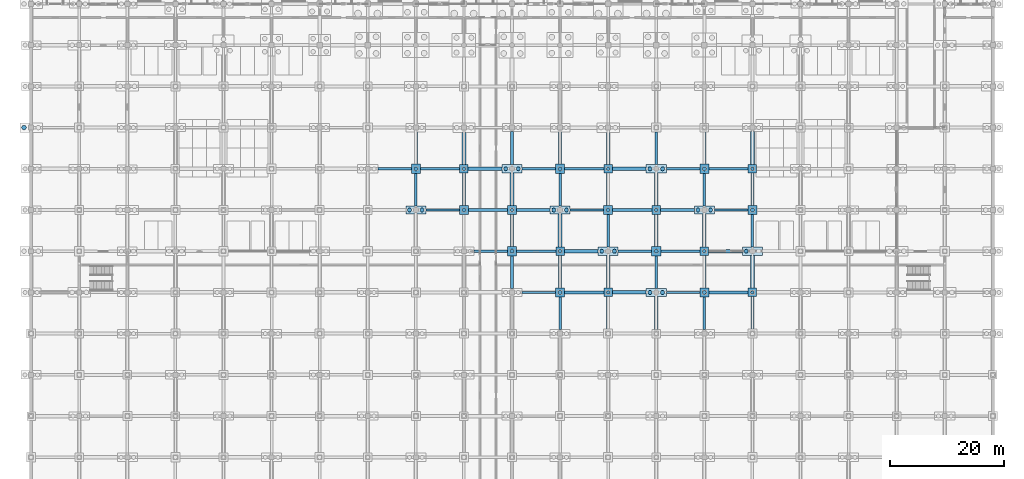
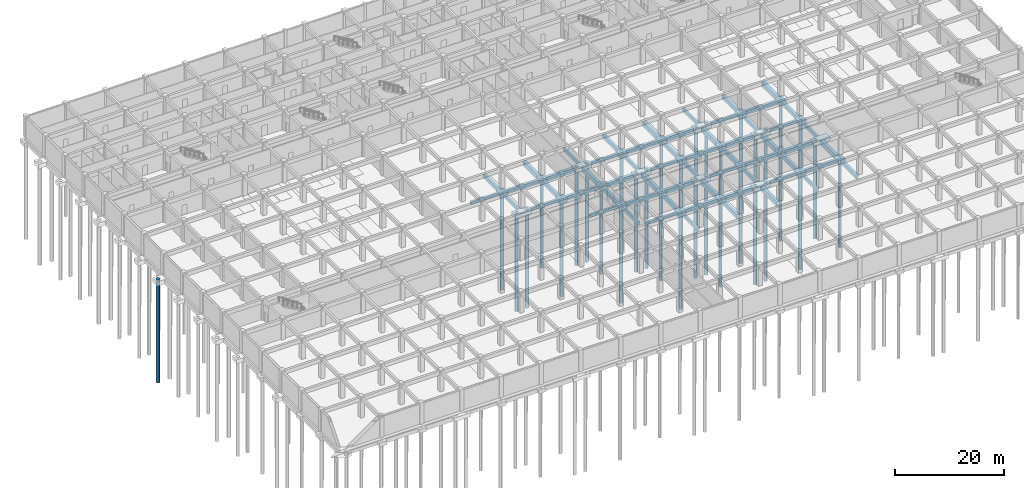
# One storey, part 5 of 85: 86 footings, 35 piles.
"""IFC4 building model written with IfcOpenShell, lengths in metres."""

from ifc_helpers import new_model, si_unit, direction, frame, origin, origin_2d, place, context, subcontext, project, spatial, rectangle, circle, extrude, material, material_profile, profile_set, type_object, element, save


model = new_model("IFC4")

# Units and contexts
model_context = context("Model", 3, precision=1e-05, world=origin(), true_north=direction((0.0, 1.0)))
body_context = subcontext(model_context, "Body", "Model", "MODEL_VIEW")
ifc_project = project(units=[si_unit("LENGTHUNIT", "METRE"), si_unit("AREAUNIT", "SQUARE_METRE"), si_unit("VOLUMEUNIT", "CUBIC_METRE"), si_unit("PLANEANGLEUNIT", "RADIAN"), si_unit("MASSUNIT", "GRAM", prefix="KILO")], contexts=[model_context])

# Site, building, storey
site_placement = place(None, origin())
site = spatial("IfcSite", under=ifc_project, at=site_placement, CompositionType="ELEMENT")
building_placement = place(site_placement, origin())
building = spatial("IfcBuilding", under=site, at=building_placement, Name="Chengyuan Square Courthouse", CompositionType="ELEMENT")
storey_placement = place(building_placement, frame((0.0, 0.0, -10.199951171875)))
storey = spatial("IfcBuildingStorey", under=building, at=storey_placement, Name="B02", CompositionType="ELEMENT", Elevation=-10.199951171875)

# Footings
ifc_material = material(Name="Concrete C40", Category="concrete")
ifc_material_profile_1 = material_profile(ifc_material, rectangle(XDim=0.39990234375, YDim=0.699951171875, at=origin_2d()), Name="GB-400x700")
ifc_profile_set_1 = profile_set([ifc_material_profile_1], Name="Concrete C40")
footing_type_1 = type_object("IfcFootingType", Name="GB-01", PredefinedType="FOOTING_BEAM", material=ifc_profile_set_1)
for number, where, z_axis, x_axis, name in (
    (1, (85.75, 36.0, -1.150146484375), (1.0, 0.0, 0.0), (0.0, 1.0, 0.0), "Ground Tie Beam GB-B02-0111"),
    (2, (110.949951171875, 36.0, -1.150146484375), (1.0, 0.0, 0.0), (0.0, 1.0, 0.0), "Ground Tie Beam GB-B02-0114"),
):
    element("IfcFooting", number, at=place(storey_placement, frame(where, z_axis=z_axis, x_axis=x_axis)), inside=storey, type_object=footing_type_1, Name=name, PredefinedType="FOOTING_BEAM", context=body_context, shape_type="SweptSolid", body=[
        extrude(rectangle(XDim=0.39990234375, YDim=0.699951171875, at=origin_2d()), origin(), (0.0, 0.0, 1.0), 5.85009765625),
    ])
for number, where, z_axis, x_axis, name in (
    (3, (77.35009765625, 43.199951171875, -1.150146484375), (1.0, 0.0, 0.0), (0.0, 1.0, 0.0), "Ground Tie Beam GB-B02-0130"),
    (4, (102.550048828125, 43.199951171875, -1.150146484375), (1.0, 0.0, 0.0), (0.0, 1.0, 0.0), "Ground Tie Beam GB-B02-0133"),
):
    element("IfcFooting", number, at=place(storey_placement, frame(where, z_axis=z_axis, x_axis=x_axis)), inside=storey, type_object=footing_type_1, Name=name, PredefinedType="FOOTING_BEAM", context=body_context, shape_type="SweptSolid", body=[
        extrude(rectangle(XDim=0.39990234375, YDim=0.699951171875, at=origin_2d()), origin(), (0.0, 0.0, 1.0), 5.849853515625),
    ])
for number, where, z_axis, x_axis, name in (
    (5, (68.949951171875, 50.39990234375, -1.150146484375), (1.0, 0.0, 0.0), (0.0, 1.0, 0.0), "Ground Tie Beam GB-B02-0149"),
    (6, (94.14990234375, 50.39990234375, -1.150146484375), (1.0, 0.0, 0.0), (0.0, 1.0, 0.0), "Ground Tie Beam GB-B02-0152"),
):
    element("IfcFooting", number, at=place(storey_placement, frame(where, z_axis=z_axis, x_axis=x_axis)), inside=storey, type_object=footing_type_1, Name=name, PredefinedType="FOOTING_BEAM", context=body_context, shape_type="SweptSolid", body=[
        extrude(rectangle(XDim=0.39990234375, YDim=0.699951171875, at=origin_2d()), origin(), (0.0, 0.0, 1.0), 5.85009765625),
    ])
for number, where, z_axis, x_axis, name in (
    (7, (119.35009765625, 50.39990234375, -1.150146484375), (1.0, 0.0, 0.0), (0.0, 1.0, 0.0), "Ground Tie Beam GB-B02-0155"),
    (8, (60.550048828125, 57.60009765625, -1.150146484375), (1.0, 0.0, 0.0), (0.0, 1.0, 0.0), "Ground Tie Beam GB-B02-0168"),
):
    element("IfcFooting", number, at=place(storey_placement, frame(where, z_axis=z_axis, x_axis=x_axis)), inside=storey, type_object=footing_type_1, Name=name, PredefinedType="FOOTING_BEAM", context=body_context, shape_type="SweptSolid", body=[
        extrude(rectangle(XDim=0.39990234375, YDim=0.699951171875, at=origin_2d()), origin(), (0.0, 0.0, 1.0), 5.849853515625),
    ])
for number, where, z_axis, x_axis, name in (
    (9, (85.75, 57.60009765625, -1.150146484375), (1.0, 0.0, 0.0), (0.0, 1.0, 0.0), "Ground Tie Beam GB-B02-0171"),
    (10, (110.949951171875, 57.60009765625, -1.150146484375), (1.0, 0.0, 0.0), (0.0, 1.0, 0.0), "Ground Tie Beam GB-B02-0174"),
):
    element("IfcFooting", number, at=place(storey_placement, frame(where, z_axis=z_axis, x_axis=x_axis)), inside=storey, type_object=footing_type_1, Name=name, PredefinedType="FOOTING_BEAM", context=body_context, shape_type="SweptSolid", body=[
        extrude(rectangle(XDim=0.39990234375, YDim=0.699951171875, at=origin_2d()), origin(), (0.0, 0.0, 1.0), 5.85009765625),
    ])
ifc_material_profile_2 = material_profile(ifc_material, rectangle(XDim=0.449951171875, YDim=0.800048828125, at=origin_2d()), Name="GB-450x800")
ifc_profile_set_2 = profile_set([ifc_material_profile_2], Name="Concrete C40")
footing_type_2 = type_object("IfcFootingType", Name="GB-02", PredefinedType="FOOTING_BEAM", material=ifc_profile_set_2)
footing_1_placement = place(storey_placement, frame((67.199951171875, 51.125, -1.199951171875), z_axis=(0.0, 1.0, 0.0), x_axis=(-1.0, 0.0, 0.0)))
element("IfcFooting", 11, at=footing_1_placement, inside=storey, type_object=footing_type_2, Name="Ground Tie Beam GB-B02-0482", PredefinedType="FOOTING_BEAM", context=body_context, shape_type="SweptSolid", body=[
    extrude(rectangle(XDim=0.449951171875, YDim=0.800048828125, at=origin_2d()), origin(), (0.0, 0.0, 1.0), 5.675048828125),
])
footing_2_placement = place(storey_placement, frame((84.0, 36.72509765625, -1.199951171875), z_axis=(0.0, 1.0, 0.0), x_axis=(-1.0, 0.0, 0.0)))
element("IfcFooting", 12, at=footing_2_placement, inside=storey, type_object=footing_type_2, Name="Ground Tie Beam GB-B02-0512", PredefinedType="FOOTING_BEAM", context=body_context, shape_type="SweptSolid", body=[
    extrude(rectangle(XDim=0.449951171875, YDim=0.800048828125, at=origin_2d()), origin(), (0.0, 0.0, 1.0), 5.6748046875),
])
footing_3_placement = place(storey_placement, frame((84.0, 58.324951171875, -1.199951171875), z_axis=(0.0, 1.0, 0.0), x_axis=(-1.0, 0.0, 0.0)))
element("IfcFooting", 13, at=footing_3_placement, inside=storey, type_object=footing_type_2, Name="Ground Tie Beam GB-B02-0515", PredefinedType="FOOTING_BEAM", context=body_context, shape_type="SweptSolid", body=[
    extrude(rectangle(XDim=0.449951171875, YDim=0.800048828125, at=origin_2d()), origin(), (0.0, 0.0, 1.0), 5.775146484375),
])
for number, where, z_axis, x_axis, name in (
    (14, (92.39990234375, 29.52490234375, -1.199951171875), (0.0, 1.0, 0.0), (-1.0, 0.0, 0.0), "Ground Tie Beam GB-B02-0527"),
    (15, (92.39990234375, 51.125, -1.199951171875), (0.0, 1.0, 0.0), (-1.0, 0.0, 0.0), "Ground Tie Beam GB-B02-0530"),
    (16, (100.800048828125, 43.925048828125, -1.199951171875), (0.0, 1.0, 0.0), (-1.0, 0.0, 0.0), "Ground Tie Beam GB-B02-0545"),
):
    element("IfcFooting", number, at=place(storey_placement, frame(where, z_axis=z_axis, x_axis=x_axis)), inside=storey, type_object=footing_type_2, Name=name, PredefinedType="FOOTING_BEAM", context=body_context, shape_type="SweptSolid", body=[
        extrude(rectangle(XDim=0.449951171875, YDim=0.800048828125, at=origin_2d()), origin(), (0.0, 0.0, 1.0), 5.675048828125),
    ])
footing_4_placement = place(storey_placement, frame((109.199951171875, 36.72509765625, -1.199951171875), z_axis=(0.0, 1.0, 0.0), x_axis=(-1.0, 0.0, 0.0)))
element("IfcFooting", 17, at=footing_4_placement, inside=storey, type_object=footing_type_2, Name="Ground Tie Beam GB-B02-0560", PredefinedType="FOOTING_BEAM", context=body_context, shape_type="SweptSolid", body=[
    extrude(rectangle(XDim=0.449951171875, YDim=0.800048828125, at=origin_2d()), origin(), (0.0, 0.0, 1.0), 5.6748046875),
])
for number, where, z_axis, x_axis, name in (
    (18, (109.199951171875, 58.324951171875, -1.199951171875), (0.0, 1.0, 0.0), (-1.0, 0.0, 0.0), "Ground Tie Beam GB-B02-0563"),
    (19, (117.60009765625, 29.52490234375, -1.199951171875), (0.0, 1.0, 0.0), (-1.0, 0.0, 0.0), "Ground Tie Beam GB-B02-0575"),
    (20, (117.60009765625, 51.125, -1.199951171875), (0.0, 1.0, 0.0), (-1.0, 0.0, 0.0), "Ground Tie Beam GB-B02-0578"),
    (21, (126.0, 43.925048828125, -1.199951171875), (0.0, 1.0, 0.0), (-1.0, 0.0, 0.0), "Ground Tie Beam GB-B02-0593"),
):
    element("IfcFooting", number, at=place(storey_placement, frame(where, z_axis=z_axis, x_axis=x_axis)), inside=storey, type_object=footing_type_2, Name=name, PredefinedType="FOOTING_BEAM", context=body_context, shape_type="SweptSolid", body=[
        extrude(rectangle(XDim=0.449951171875, YDim=0.800048828125, at=origin_2d()), origin(), (0.0, 0.0, 1.0), 5.675048828125),
    ])
ifc_material_profile_3 = material_profile(ifc_material, rectangle(XDim=0.5, YDim=0.89990234375, at=origin_2d()), Name="GB-500x900")
ifc_profile_set_3 = profile_set([ifc_material_profile_3], Name="Concrete C40")
footing_type_3 = type_object("IfcFootingType", Name="GB-03", PredefinedType="FOOTING_BEAM", material=ifc_profile_set_3)
for number, where, z_axis, x_axis, name in (
    (22, (93.199951171875, 36.0, -1.25), (1.0, 0.0, 0.0), (0.0, 1.0, 0.0), "Ground Tie Beam GB-B02-0112"),
    (23, (118.39990234375, 36.0, -1.25), (1.0, 0.0, 0.0), (0.0, 1.0, 0.0), "Ground Tie Beam GB-B02-0115"),
):
    element("IfcFooting", number, at=place(storey_placement, frame(where, z_axis=z_axis, x_axis=x_axis)), inside=storey, type_object=footing_type_3, Name=name, PredefinedType="FOOTING_BEAM", context=body_context, shape_type="SweptSolid", body=[
        extrude(rectangle(XDim=0.5, YDim=0.89990234375, at=origin_2d()), origin(), (0.0, 0.0, 1.0), 6.85009765625),
    ])
footing_5_placement = place(storey_placement, frame((84.800048828125, 43.199951171875, -1.25), z_axis=(1.0, 0.0, 0.0), x_axis=(0.0, 1.0, 0.0)))
element("IfcFooting", 24, at=footing_5_placement, inside=storey, type_object=footing_type_3, Name="Ground Tie Beam GB-B02-0131", PredefinedType="FOOTING_BEAM", context=body_context, shape_type="SweptSolid", body=[
    extrude(rectangle(XDim=0.5, YDim=0.89990234375, at=origin_2d()), origin(), (0.0, 0.0, 1.0), 6.849853515625),
])
for number, where, z_axis, x_axis, name in (
    (25, (110.0, 43.199951171875, -1.25), (1.0, 0.0, 0.0), (0.0, 1.0, 0.0), "Ground Tie Beam GB-B02-0134"),
    (26, (76.39990234375, 50.39990234375, -1.25), (1.0, 0.0, 0.0), (0.0, 1.0, 0.0), "Ground Tie Beam GB-B02-0150"),
):
    element("IfcFooting", number, at=place(storey_placement, frame(where, z_axis=z_axis, x_axis=x_axis)), inside=storey, type_object=footing_type_3, Name=name, PredefinedType="FOOTING_BEAM", context=body_context, shape_type="SweptSolid", body=[
        extrude(rectangle(XDim=0.5, YDim=0.89990234375, at=origin_2d()), origin(), (0.0, 0.0, 1.0), 6.85009765625),
    ])
footing_6_placement = place(storey_placement, frame((101.60009765625, 50.39990234375, -1.25), z_axis=(1.0, 0.0, 0.0), x_axis=(0.0, 1.0, 0.0)))
element("IfcFooting", 27, at=footing_6_placement, inside=storey, type_object=footing_type_3, Name="Ground Tie Beam GB-B02-0153", PredefinedType="FOOTING_BEAM", context=body_context, shape_type="SweptSolid", body=[
    extrude(rectangle(XDim=0.5, YDim=0.89990234375, at=origin_2d()), origin(), (0.0, 0.0, 1.0), 6.849853515625),
])
for number, where, z_axis, x_axis, name in (
    (28, (68.0, 57.60009765625, -1.25), (1.0, 0.0, 0.0), (0.0, 1.0, 0.0), "Ground Tie Beam GB-B02-0169"),
    (29, (93.199951171875, 57.60009765625, -1.25), (1.0, 0.0, 0.0), (0.0, 1.0, 0.0), "Ground Tie Beam GB-B02-0172"),
    (30, (118.39990234375, 57.60009765625, -1.25), (1.0, 0.0, 0.0), (0.0, 1.0, 0.0), "Ground Tie Beam GB-B02-0175"),
):
    element("IfcFooting", number, at=place(storey_placement, frame(where, z_axis=z_axis, x_axis=x_axis)), inside=storey, type_object=footing_type_3, Name=name, PredefinedType="FOOTING_BEAM", context=body_context, shape_type="SweptSolid", body=[
        extrude(rectangle(XDim=0.5, YDim=0.89990234375, at=origin_2d()), origin(), (0.0, 0.0, 1.0), 6.85009765625),
    ])
ifc_material_profile_4 = material_profile(ifc_material, rectangle(XDim=0.550048828125, YDim=0.949951171875, at=origin_2d()), Name="GB-550x950")
ifc_profile_set_4 = profile_set([ifc_material_profile_4], Name="Concrete C40")
footing_type_4 = type_object("IfcFootingType", Name="GB-04", PredefinedType="FOOTING_BEAM", material=ifc_profile_set_4)
for number, where, z_axis, x_axis, name in (
    (31, (67.199951171875, 58.39990234375, -1.275146484375), (0.0, 1.0, 0.0), (-1.0, 0.0, 0.0), "Ground Tie Beam GB-B02-0483"),
    (32, (75.60009765625, 51.199951171875, -1.275146484375), (0.0, 1.0, 0.0), (-1.0, 0.0, 0.0), "Ground Tie Beam GB-B02-0498"),
):
    element("IfcFooting", number, at=place(storey_placement, frame(where, z_axis=z_axis, x_axis=x_axis)), inside=storey, type_object=footing_type_4, Name=name, PredefinedType="FOOTING_BEAM", context=body_context, shape_type="SweptSolid", body=[
        extrude(rectangle(XDim=0.550048828125, YDim=0.949951171875, at=origin_2d()), origin(), (0.0, 0.0, 1.0), 5.650146484375),
    ])
for number, where, z_axis, x_axis, name in (
    (33, (84.0, 44.0, -1.275146484375), (0.0, 1.0, 0.0), (-1.0, 0.0, 0.0), "Ground Tie Beam GB-B02-0513"),
    (34, (92.39990234375, 36.800048828125, -1.275146484375), (0.0, 1.0, 0.0), (-1.0, 0.0, 0.0), "Ground Tie Beam GB-B02-0528"),
):
    element("IfcFooting", number, at=place(storey_placement, frame(where, z_axis=z_axis, x_axis=x_axis)), inside=storey, type_object=footing_type_4, Name=name, PredefinedType="FOOTING_BEAM", context=body_context, shape_type="SweptSolid", body=[
        extrude(rectangle(XDim=0.550048828125, YDim=0.949951171875, at=origin_2d()), origin(), (0.0, 0.0, 1.0), 5.64990234375),
    ])
footing_7_placement = place(storey_placement, frame((92.39990234375, 58.39990234375, -1.275146484375), z_axis=(0.0, 1.0, 0.0), x_axis=(-1.0, 0.0, 0.0)))
element("IfcFooting", 35, at=footing_7_placement, inside=storey, type_object=footing_type_4, Name="Ground Tie Beam GB-B02-0531", PredefinedType="FOOTING_BEAM", context=body_context, shape_type="SweptSolid", body=[
    extrude(rectangle(XDim=0.550048828125, YDim=0.949951171875, at=origin_2d()), origin(), (0.0, 0.0, 1.0), 5.650146484375),
])
footing_8_placement = place(storey_placement, frame((100.800048828125, 29.60009765625, -1.275146484375), z_axis=(0.0, 1.0, 0.0), x_axis=(-1.0, 0.0, 0.0)))
element("IfcFooting", 36, at=footing_8_placement, inside=storey, type_object=footing_type_4, Name="Ground Tie Beam GB-B02-0543", PredefinedType="FOOTING_BEAM", context=body_context, shape_type="SweptSolid", body=[
    extrude(rectangle(XDim=0.550048828125, YDim=0.949951171875, at=origin_2d()), origin(), (0.0, 0.0, 1.0), 5.64990234375),
])
footing_9_placement = place(storey_placement, frame((100.800048828125, 51.199951171875, -1.275146484375), z_axis=(0.0, 1.0, 0.0), x_axis=(-1.0, 0.0, 0.0)))
element("IfcFooting", 37, at=footing_9_placement, inside=storey, type_object=footing_type_4, Name="Ground Tie Beam GB-B02-0546", PredefinedType="FOOTING_BEAM", context=body_context, shape_type="SweptSolid", body=[
    extrude(rectangle(XDim=0.550048828125, YDim=0.949951171875, at=origin_2d()), origin(), (0.0, 0.0, 1.0), 5.650146484375),
])
for number, where, z_axis, x_axis, name in (
    (38, (109.199951171875, 44.0, -1.275146484375), (0.0, 1.0, 0.0), (-1.0, 0.0, 0.0), "Ground Tie Beam GB-B02-0561"),
    (39, (117.60009765625, 36.800048828125, -1.275146484375), (0.0, 1.0, 0.0), (-1.0, 0.0, 0.0), "Ground Tie Beam GB-B02-0576"),
):
    element("IfcFooting", number, at=place(storey_placement, frame(where, z_axis=z_axis, x_axis=x_axis)), inside=storey, type_object=footing_type_4, Name=name, PredefinedType="FOOTING_BEAM", context=body_context, shape_type="SweptSolid", body=[
        extrude(rectangle(XDim=0.550048828125, YDim=0.949951171875, at=origin_2d()), origin(), (0.0, 0.0, 1.0), 5.64990234375),
    ])
footing_10_placement = place(storey_placement, frame((117.60009765625, 58.39990234375, -1.275146484375), z_axis=(0.0, 1.0, 0.0), x_axis=(-1.0, 0.0, 0.0)))
element("IfcFooting", 40, at=footing_10_placement, inside=storey, type_object=footing_type_4, Name="Ground Tie Beam GB-B02-0579", PredefinedType="FOOTING_BEAM", context=body_context, shape_type="SweptSolid", body=[
    extrude(rectangle(XDim=0.550048828125, YDim=0.949951171875, at=origin_2d()), origin(), (0.0, 0.0, 1.0), 5.650146484375),
])
footing_11_placement = place(storey_placement, frame((126.0, 29.60009765625, -1.275146484375), z_axis=(0.0, 1.0, 0.0), x_axis=(-1.0, 0.0, 0.0)))
element("IfcFooting", 41, at=footing_11_placement, inside=storey, type_object=footing_type_4, Name="Ground Tie Beam GB-B02-0591", PredefinedType="FOOTING_BEAM", context=body_context, shape_type="SweptSolid", body=[
    extrude(rectangle(XDim=0.550048828125, YDim=0.949951171875, at=origin_2d()), origin(), (0.0, 0.0, 1.0), 5.64990234375),
])
footing_12_placement = place(storey_placement, frame((126.0, 51.199951171875, -1.275146484375), z_axis=(0.0, 1.0, 0.0), x_axis=(-1.0, 0.0, 0.0)))
element("IfcFooting", 42, at=footing_12_placement, inside=storey, type_object=footing_type_4, Name="Ground Tie Beam GB-B02-0594", PredefinedType="FOOTING_BEAM", context=body_context, shape_type="SweptSolid", body=[
    extrude(rectangle(XDim=0.550048828125, YDim=0.949951171875, at=origin_2d()), origin(), (0.0, 0.0, 1.0), 5.650146484375),
])
ifc_material_profile_5 = material_profile(ifc_material, rectangle(XDim=0.60009765625, YDim=1.0, at=origin_2d()), Name="GB-600x1000")
ifc_profile_set_5 = profile_set([ifc_material_profile_5], Name="Concrete C40")
footing_type_5 = type_object("IfcFootingType", Name="GB-05", PredefinedType="FOOTING_BEAM", material=ifc_profile_set_5)
footing_13_placement = place(storey_placement, frame((101.550048828125, 36.0, -1.300048828125), z_axis=(1.0, 0.0, 0.0), x_axis=(0.0, 1.0, 0.0)))
element("IfcFooting", 43, at=footing_13_placement, inside=storey, type_object=footing_type_5, Name="Ground Tie Beam GB-B02-0113", PredefinedType="FOOTING_BEAM", context=body_context, shape_type="SweptSolid", body=[
    extrude(rectangle(XDim=0.60009765625, YDim=1.0, at=origin_2d()), origin(), (0.0, 0.0, 1.0), 5.89990234375),
])
footing_14_placement = place(storey_placement, frame((93.14990234375, 43.199951171875, -1.300048828125), z_axis=(1.0, 0.0, 0.0), x_axis=(0.0, 1.0, 0.0)))
element("IfcFooting", 44, at=footing_14_placement, inside=storey, type_object=footing_type_5, Name="Ground Tie Beam GB-B02-0132", PredefinedType="FOOTING_BEAM", context=body_context, shape_type="SweptSolid", body=[
    extrude(rectangle(XDim=0.60009765625, YDim=1.0, at=origin_2d()), origin(), (0.0, 0.0, 1.0), 5.900146484375),
])
for number, where, z_axis, x_axis, name in (
    (45, (118.35009765625, 43.199951171875, -1.300048828125), (1.0, 0.0, 0.0), (0.0, 1.0, 0.0), "Ground Tie Beam GB-B02-0135"),
    (46, (84.75, 50.39990234375, -1.300048828125), (1.0, 0.0, 0.0), (0.0, 1.0, 0.0), "Ground Tie Beam GB-B02-0151"),
):
    element("IfcFooting", number, at=place(storey_placement, frame(where, z_axis=z_axis, x_axis=x_axis)), inside=storey, type_object=footing_type_5, Name=name, PredefinedType="FOOTING_BEAM", context=body_context, shape_type="SweptSolid", body=[
        extrude(rectangle(XDim=0.60009765625, YDim=1.0, at=origin_2d()), origin(), (0.0, 0.0, 1.0), 5.89990234375),
    ])
footing_15_placement = place(storey_placement, frame((109.949951171875, 50.39990234375, -1.300048828125), z_axis=(1.0, 0.0, 0.0), x_axis=(0.0, 1.0, 0.0)))
element("IfcFooting", 47, at=footing_15_placement, inside=storey, type_object=footing_type_5, Name="Ground Tie Beam GB-B02-0154", PredefinedType="FOOTING_BEAM", context=body_context, shape_type="SweptSolid", body=[
    extrude(rectangle(XDim=0.60009765625, YDim=1.0, at=origin_2d()), origin(), (0.0, 0.0, 1.0), 5.900146484375),
])
for number, where, z_axis, x_axis, name in (
    (48, (76.35009765625, 57.60009765625, -1.300048828125), (1.0, 0.0, 0.0), (0.0, 1.0, 0.0), "Ground Tie Beam GB-B02-0170"),
    (49, (101.550048828125, 57.60009765625, -1.300048828125), (1.0, 0.0, 0.0), (0.0, 1.0, 0.0), "Ground Tie Beam GB-B02-0173"),
):
    element("IfcFooting", number, at=place(storey_placement, frame(where, z_axis=z_axis, x_axis=x_axis)), inside=storey, type_object=footing_type_5, Name=name, PredefinedType="FOOTING_BEAM", context=body_context, shape_type="SweptSolid", body=[
        extrude(rectangle(XDim=0.60009765625, YDim=1.0, at=origin_2d()), origin(), (0.0, 0.0, 1.0), 5.89990234375),
    ])
ifc_material_profile_6 = material_profile(ifc_material, rectangle(XDim=0.64990234375, YDim=1.10009765625, at=origin_2d()), Name="GB-650x1100")
ifc_profile_set_6 = profile_set([ifc_material_profile_6], Name="Concrete C40")
footing_type_6 = type_object("IfcFootingType", Name="GB-06", PredefinedType="FOOTING_BEAM", material=ifc_profile_set_6)
footing_16_placement = place(storey_placement, frame((75.60009765625, 58.35009765625, -1.35009765625), z_axis=(0.0, 1.0, 0.0), x_axis=(-1.0, 0.0, 0.0)))
element("IfcFooting", 50, at=footing_16_placement, inside=storey, type_object=footing_type_6, Name="Ground Tie Beam GB-B02-0499", PredefinedType="FOOTING_BEAM", context=body_context, shape_type="SweptSolid", body=[
    extrude(rectangle(XDim=0.64990234375, YDim=1.10009765625, at=origin_2d()), origin(), (0.0, 0.0, 1.0), 5.625),
])
for number, where, z_axis, x_axis, name in (
    (51, (84.0, 51.14990234375, -1.35009765625), (0.0, 1.0, 0.0), (-1.0, 0.0, 0.0), "Ground Tie Beam GB-B02-0514"),
    (52, (92.39990234375, 43.949951171875, -1.35009765625), (0.0, 1.0, 0.0), (-1.0, 0.0, 0.0), "Ground Tie Beam GB-B02-0529"),
    (53, (100.800048828125, 36.75, -1.35009765625), (0.0, 1.0, 0.0), (-1.0, 0.0, 0.0), "Ground Tie Beam GB-B02-0544"),
):
    element("IfcFooting", number, at=place(storey_placement, frame(where, z_axis=z_axis, x_axis=x_axis)), inside=storey, type_object=footing_type_6, Name=name, PredefinedType="FOOTING_BEAM", context=body_context, shape_type="SweptSolid", body=[
        extrude(rectangle(XDim=0.64990234375, YDim=1.10009765625, at=origin_2d()), origin(), (0.0, 0.0, 1.0), 5.72509765625),
    ])
footing_17_placement = place(storey_placement, frame((100.800048828125, 58.35009765625, -1.35009765625), z_axis=(0.0, 1.0, 0.0), x_axis=(-1.0, 0.0, 0.0)))
element("IfcFooting", 54, at=footing_17_placement, inside=storey, type_object=footing_type_6, Name="Ground Tie Beam GB-B02-0547", PredefinedType="FOOTING_BEAM", context=body_context, shape_type="SweptSolid", body=[
    extrude(rectangle(XDim=0.64990234375, YDim=1.10009765625, at=origin_2d()), origin(), (0.0, 0.0, 1.0), 5.625),
])
footing_18_placement = place(storey_placement, frame((109.199951171875, 29.550048828125, -1.35009765625), z_axis=(0.0, 1.0, 0.0), x_axis=(-1.0, 0.0, 0.0)))
element("IfcFooting", 55, at=footing_18_placement, inside=storey, type_object=footing_type_6, Name="Ground Tie Beam GB-B02-0559", PredefinedType="FOOTING_BEAM", context=body_context, shape_type="SweptSolid", body=[
    extrude(rectangle(XDim=0.64990234375, YDim=1.10009765625, at=origin_2d()), origin(), (0.0, 0.0, 1.0), 5.724853515625),
])
for number, where, z_axis, x_axis, name in (
    (56, (109.199951171875, 51.14990234375, -1.35009765625), (0.0, 1.0, 0.0), (-1.0, 0.0, 0.0), "Ground Tie Beam GB-B02-0562"),
    (57, (117.60009765625, 43.949951171875, -1.35009765625), (0.0, 1.0, 0.0), (-1.0, 0.0, 0.0), "Ground Tie Beam GB-B02-0577"),
    (58, (126.0, 36.75, -1.35009765625), (0.0, 1.0, 0.0), (-1.0, 0.0, 0.0), "Ground Tie Beam GB-B02-0592"),
):
    element("IfcFooting", number, at=place(storey_placement, frame(where, z_axis=z_axis, x_axis=x_axis)), inside=storey, type_object=footing_type_6, Name=name, PredefinedType="FOOTING_BEAM", context=body_context, shape_type="SweptSolid", body=[
        extrude(rectangle(XDim=0.64990234375, YDim=1.10009765625, at=origin_2d()), origin(), (0.0, 0.0, 1.0), 5.72509765625),
    ])
footing_19_placement = place(storey_placement, frame((126.0, 58.35009765625, -1.35009765625), z_axis=(0.0, 1.0, 0.0), x_axis=(-1.0, 0.0, 0.0)))
element("IfcFooting", 59, at=footing_19_placement, inside=storey, type_object=footing_type_6, Name="Ground Tie Beam GB-B02-0595", PredefinedType="FOOTING_BEAM", context=body_context, shape_type="SweptSolid", body=[
    extrude(rectangle(XDim=0.64990234375, YDim=1.10009765625, at=origin_2d()), origin(), (0.0, 0.0, 1.0), 5.724853515625),
])
footing_type_7 = type_object("IfcFootingType", Name="PC-19", PredefinedType="PILE_CAP", material=ifc_material)
for number, where, z_axis, x_axis, name in (
    (60, (67.199951171875, 50.39990234375, -1.650146484375), (0.0, 0.0, 1.0), (1.0, 0.0, 0.0), "Pile Cap PC-B02-144"),
    (61, (84.0, 57.60009765625, -1.650146484375), (0.0, 0.0, 1.0), (1.0, 0.0, 0.0), "Pile Cap PC-B02-179"),
    (62, (92.39990234375, 50.39990234375, -1.650146484375), (0.0, 0.0, 1.0), (1.0, 0.0, 0.0), "Pile Cap PC-B02-195"),
    (63, (100.800048828125, 43.199951171875, -1.650146484375), (0.0, 0.0, 1.0), (1.0, 0.0, 0.0), "Pile Cap PC-B02-211"),
    (64, (109.199951171875, 36.0, -1.650146484375), (0.0, 0.0, 1.0), (1.0, 0.0, 0.0), "Pile Cap PC-B02-227"),
    (65, (109.199951171875, 57.60009765625, -1.650146484375), (0.0, 0.0, 1.0), (1.0, 0.0, 0.0), "Pile Cap PC-B02-230"),
    (66, (117.60009765625, 50.39990234375, -1.650146484375), (0.0, 0.0, 1.0), (1.0, 0.0, 0.0), "Pile Cap PC-B02-246"),
    (67, (126.0, 43.199951171875, -1.650146484375), (0.0, 0.0, 1.0), (1.0, 0.0, 0.0), "Pile Cap PC-B02-262"),
):
    element("IfcFooting", number, at=place(storey_placement, frame(where, z_axis=z_axis, x_axis=x_axis)), inside=storey, type_object=footing_type_7, Name=name, PredefinedType="PILE_CAP", context=body_context, shape_type="SweptSolid", body=[
        extrude(rectangle(XDim=3.5, YDim=1.449951171875, at=origin_2d()), origin(), (0.0, 0.0, 1.0), 0.85009765625),
    ])
footing_type_8 = type_object("IfcFootingType", Name="PC-20", PredefinedType="PILE_CAP", material=ifc_material)
for number, where, z_axis, x_axis, name in (
    (68, (67.199951171875, 57.60009765625, -1.699951171875), (0.0, 0.0, 1.0), (1.0, 0.0, 0.0), "Pile Cap PC-B02-145"),
    (69, (75.60009765625, 50.39990234375, -1.699951171875), (0.0, 0.0, 1.0), (1.0, 0.0, 0.0), "Pile Cap PC-B02-161"),
    (70, (84.0, 43.199951171875, -1.699951171875), (0.0, 0.0, 1.0), (1.0, 0.0, 0.0), "Pile Cap PC-B02-177"),
    (71, (92.39990234375, 36.0, -1.699951171875), (0.0, 0.0, 1.0), (1.0, 0.0, 0.0), "Pile Cap PC-B02-193"),
    (72, (92.39990234375, 57.60009765625, -1.699951171875), (0.0, 0.0, 1.0), (1.0, 0.0, 0.0), "Pile Cap PC-B02-196"),
    (73, (100.800048828125, 50.39990234375, -1.699951171875), (0.0, 0.0, 1.0), (1.0, 0.0, 0.0), "Pile Cap PC-B02-212"),
    (74, (109.199951171875, 43.199951171875, -1.699951171875), (0.0, 0.0, 1.0), (1.0, 0.0, 0.0), "Pile Cap PC-B02-228"),
    (75, (117.60009765625, 36.0, -1.699951171875), (0.0, 0.0, 1.0), (1.0, 0.0, 0.0), "Pile Cap PC-B02-244"),
    (76, (117.60009765625, 57.60009765625, -1.699951171875), (0.0, 0.0, 1.0), (1.0, 0.0, 0.0), "Pile Cap PC-B02-247"),
    (77, (126.0, 50.39990234375, -1.699951171875), (0.0, 0.0, 1.0), (1.0, 0.0, 0.0), "Pile Cap PC-B02-263"),
):
    element("IfcFooting", number, at=place(storey_placement, frame(where, z_axis=z_axis, x_axis=x_axis)), inside=storey, type_object=footing_type_8, Name=name, PredefinedType="PILE_CAP", context=body_context, shape_type="SweptSolid", body=[
        extrude(rectangle(XDim=1.60009765625, YDim=1.60009765625, at=origin_2d()), origin(), (0.0, 0.0, 1.0), 0.89990234375),
    ])
footing_type_9 = type_object("IfcFootingType", Name="PC-21", PredefinedType="PILE_CAP", material=ifc_material)
for number, where, z_axis, x_axis, name in (
    (78, (75.60009765625, 57.60009765625, -1.650146484375), (0.0, 0.0, 1.0), (1.0, 0.0, 0.0), "Pile Cap PC-B02-162"),
    (79, (84.0, 50.39990234375, -1.650146484375), (0.0, 0.0, 1.0), (1.0, 0.0, 0.0), "Pile Cap PC-B02-178"),
    (80, (92.39990234375, 43.199951171875, -1.650146484375), (0.0, 0.0, 1.0), (1.0, 0.0, 0.0), "Pile Cap PC-B02-194"),
    (81, (100.800048828125, 36.0, -1.650146484375), (0.0, 0.0, 1.0), (1.0, 0.0, 0.0), "Pile Cap PC-B02-210"),
    (82, (100.800048828125, 57.60009765625, -1.650146484375), (0.0, 0.0, 1.0), (1.0, 0.0, 0.0), "Pile Cap PC-B02-213"),
    (83, (109.199951171875, 50.39990234375, -1.650146484375), (0.0, 0.0, 1.0), (1.0, 0.0, 0.0), "Pile Cap PC-B02-229"),
    (84, (117.60009765625, 43.199951171875, -1.650146484375), (0.0, 0.0, 1.0), (1.0, 0.0, 0.0), "Pile Cap PC-B02-245"),
    (85, (126.0, 36.0, -1.650146484375), (0.0, 0.0, 1.0), (1.0, 0.0, 0.0), "Pile Cap PC-B02-261"),
    (86, (126.0, 57.60009765625, -1.650146484375), (0.0, 0.0, 1.0), (1.0, 0.0, 0.0), "Pile Cap PC-B02-264"),
):
    element("IfcFooting", number, at=place(storey_placement, frame(where, z_axis=z_axis, x_axis=x_axis)), inside=storey, type_object=footing_type_9, Name=name, PredefinedType="PILE_CAP", context=body_context, shape_type="SweptSolid", body=[
        extrude(rectangle(XDim=1.5, YDim=1.5, at=origin_2d()), origin(), (0.0, 0.0, 1.0), 0.85009765625),
    ])

# Piles
ifc_material_profile_7 = material_profile(ifc_material, circle(Radius=0.300048828125, at=origin_2d()), Name="BORED PILE D600")
ifc_profile_set_7 = profile_set([ifc_material_profile_7], Name="Concrete C40")
pile_type_1 = type_object("IfcPileType", Name="PL-01", PredefinedType="BORED", material=ifc_profile_set_7)
for number, where, z_axis, x_axis, name in (
    (87, (75.60009765625, 57.60009765625, -0.800048828125), (0.0, 0.0, -1.0), (1.0, 0.0, 0.0), "Bored Pile PL-B02-0304"),
    (88, (84.0, 50.39990234375, -0.800048828125), (0.0, 0.0, -1.0), (1.0, 0.0, 0.0), "Bored Pile PL-B02-0341"),
    (89, (92.39990234375, 43.199951171875, -0.800048828125), (0.0, 0.0, -1.0), (1.0, 0.0, 0.0), "Bored Pile PL-B02-0378"),
    (90, (100.800048828125, 36.0, -0.800048828125), (0.0, 0.0, -1.0), (1.0, 0.0, 0.0), "Bored Pile PL-B02-0417"),
    (91, (100.800048828125, 57.60009765625, -0.800048828125), (0.0, 0.0, -1.0), (1.0, 0.0, 0.0), "Bored Pile PL-B02-0421"),
    (92, (109.199951171875, 50.39990234375, -0.800048828125), (0.0, 0.0, -1.0), (1.0, 0.0, 0.0), "Bored Pile PL-B02-0459"),
    (93, (117.60009765625, 43.199951171875, -0.800048828125), (0.0, 0.0, -1.0), (1.0, 0.0, 0.0), "Bored Pile PL-B02-0495"),
    (94, (126.0, 36.0, -0.800048828125), (0.0, 0.0, -1.0), (1.0, 0.0, 0.0), "Bored Pile PL-B02-0533"),
    (95, (126.0, 57.60009765625, -0.800048828125), (0.0, 0.0, -1.0), (1.0, 0.0, 0.0), "Bored Pile PL-B02-0537"),
):
    element("IfcPile", number, at=place(storey_placement, frame(where, z_axis=z_axis, x_axis=x_axis)), inside=storey, type_object=pile_type_1, Name=name, PredefinedType="BORED", context=body_context, shape_type="SweptSolid", body=[
        extrude(circle(Radius=0.300048828125, at=origin_2d()), origin(), (0.0, 0.0, 1.0), 20.0),
    ])
ifc_material_profile_8 = material_profile(ifc_material, circle(Radius=0.35009765625, at=origin_2d()), Name="BORED PILE D700")
ifc_profile_set_8 = profile_set([ifc_material_profile_8], Name="Concrete C40")
pile_type_2 = type_object("IfcPileType", Name="PL-02", PredefinedType="BORED", material=ifc_profile_set_8)
for number, where, z_axis, x_axis, name in (
    (96, (66.10009765625, 50.39990234375, -0.800048828125), (0.0, 0.0, -1.0), (1.0, 0.0, 0.0), "Bored Pile PL-B02-0262"),
    (97, (68.300048828125, 50.39990234375, -0.800048828125), (0.0, 0.0, -1.0), (1.0, 0.0, 0.0), "Bored Pile PL-B02-0263"),
    (98, (67.199951171875, 57.60009765625, -0.800048828125), (0.0, 0.0, -1.0), (1.0, 0.0, 0.0), "Bored Pile PL-B02-0264"),
    (99, (75.60009765625, 50.39990234375, -0.800048828125), (0.0, 0.0, -1.0), (1.0, 0.0, 0.0), "Bored Pile PL-B02-0303"),
    (100, (84.0, 43.199951171875, -0.800048828125), (0.0, 0.0, -1.0), (1.0, 0.0, 0.0), "Bored Pile PL-B02-0340"),
    (101, (82.89990234375, 57.60009765625, -0.800048828125), (0.0, 0.0, -1.0), (1.0, 0.0, 0.0), "Bored Pile PL-B02-0342"),
    (102, (85.10009765625, 57.60009765625, -0.800048828125), (0.0, 0.0, -1.0), (1.0, 0.0, 0.0), "Bored Pile PL-B02-0343"),
    (103, (92.39990234375, 36.0, -0.800048828125), (0.0, 0.0, -1.0), (1.0, 0.0, 0.0), "Bored Pile PL-B02-0377"),
    (104, (91.300048828125, 50.39990234375, -0.800048828125), (0.0, 0.0, -1.0), (1.0, 0.0, 0.0), "Bored Pile PL-B02-0379"),
    (105, (93.5, 50.39990234375, -0.800048828125), (0.0, 0.0, -1.0), (1.0, 0.0, 0.0), "Bored Pile PL-B02-0380"),
    (106, (92.39990234375, 57.60009765625, -0.800048828125), (0.0, 0.0, -1.0), (1.0, 0.0, 0.0), "Bored Pile PL-B02-0381"),
    (107, (99.699951171875, 43.199951171875, -0.800048828125), (0.0, 0.0, -1.0), (1.0, 0.0, 0.0), "Bored Pile PL-B02-0418"),
    (108, (101.89990234375, 43.199951171875, -0.800048828125), (0.0, 0.0, -1.0), (1.0, 0.0, 0.0), "Bored Pile PL-B02-0419"),
    (109, (100.800048828125, 50.39990234375, -0.800048828125), (0.0, 0.0, -1.0), (1.0, 0.0, 0.0), "Bored Pile PL-B02-0420"),
    (110, (108.10009765625, 36.0, -0.800048828125), (0.0, 0.0, -1.0), (1.0, 0.0, 0.0), "Bored Pile PL-B02-0456"),
    (111, (110.300048828125, 36.0, -0.800048828125), (0.0, 0.0, -1.0), (1.0, 0.0, 0.0), "Bored Pile PL-B02-0457"),
    (112, (109.199951171875, 43.199951171875, -0.800048828125), (0.0, 0.0, -1.0), (1.0, 0.0, 0.0), "Bored Pile PL-B02-0458"),
    (113, (108.10009765625, 57.60009765625, -0.800048828125), (0.0, 0.0, -1.0), (1.0, 0.0, 0.0), "Bored Pile PL-B02-0460"),
    (114, (110.300048828125, 57.60009765625, -0.800048828125), (0.0, 0.0, -1.0), (1.0, 0.0, 0.0), "Bored Pile PL-B02-0461"),
    (115, (117.60009765625, 36.0, -0.800048828125), (0.0, 0.0, -1.0), (1.0, 0.0, 0.0), "Bored Pile PL-B02-0494"),
    (116, (116.5, 50.39990234375, -0.800048828125), (0.0, 0.0, -1.0), (1.0, 0.0, 0.0), "Bored Pile PL-B02-0496"),
    (117, (118.699951171875, 50.39990234375, -0.800048828125), (0.0, 0.0, -1.0), (1.0, 0.0, 0.0), "Bored Pile PL-B02-0497"),
    (118, (117.60009765625, 57.60009765625, -0.800048828125), (0.0, 0.0, -1.0), (1.0, 0.0, 0.0), "Bored Pile PL-B02-0498"),
    (119, (124.89990234375, 43.199951171875, -0.800048828125), (0.0, 0.0, -1.0), (1.0, 0.0, 0.0), "Bored Pile PL-B02-0534"),
    (120, (126.0, 50.39990234375, -0.800048828125), (0.0, 0.0, -1.0), (1.0, 0.0, 0.0), "Bored Pile PL-B02-0536"),
):
    element("IfcPile", number, at=place(storey_placement, frame(where, z_axis=z_axis, x_axis=x_axis)), inside=storey, type_object=pile_type_2, Name=name, PredefinedType="BORED", context=body_context, shape_type="SweptSolid", body=[
        extrude(circle(Radius=0.35009765625, at=origin_2d()), origin(), (0.0, 0.0, 1.0), 22.0),
    ])
ifc_material_profile_9 = material_profile(ifc_material, circle(Radius=0.39990234375, at=origin_2d()), Name="BORED PILE D800")
ifc_profile_set_9 = profile_set([ifc_material_profile_9], Name="Concrete C40")
pile_type_3 = type_object("IfcPileType", Name="PL-03", PredefinedType="BORED", material=ifc_profile_set_9)
pile_placement = place(storey_placement, frame((-1.25, 64.800048828125, -0.800048828125), z_axis=(0.0, 0.0, -1.0), x_axis=(1.0, 0.0, 0.0)))
element("IfcPile", 121, at=pile_placement, inside=storey, type_object=pile_type_3, Name="Bored Pile PL-B02-0016", PredefinedType="BORED", context=body_context, shape_type="SweptSolid", body=[
    extrude(circle(Radius=0.39990234375, at=origin_2d()), origin(), (0.0, 0.0, 1.0), 23.0),
])

save(model, "model.ifc")
